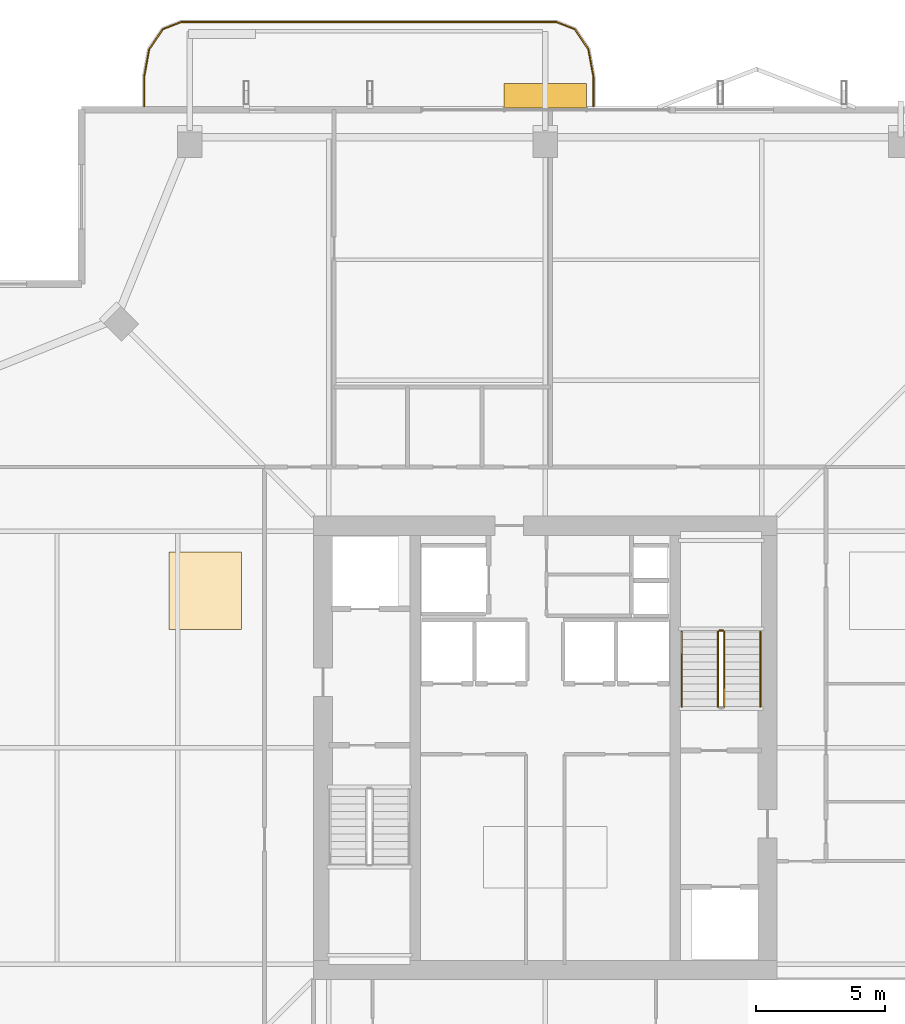
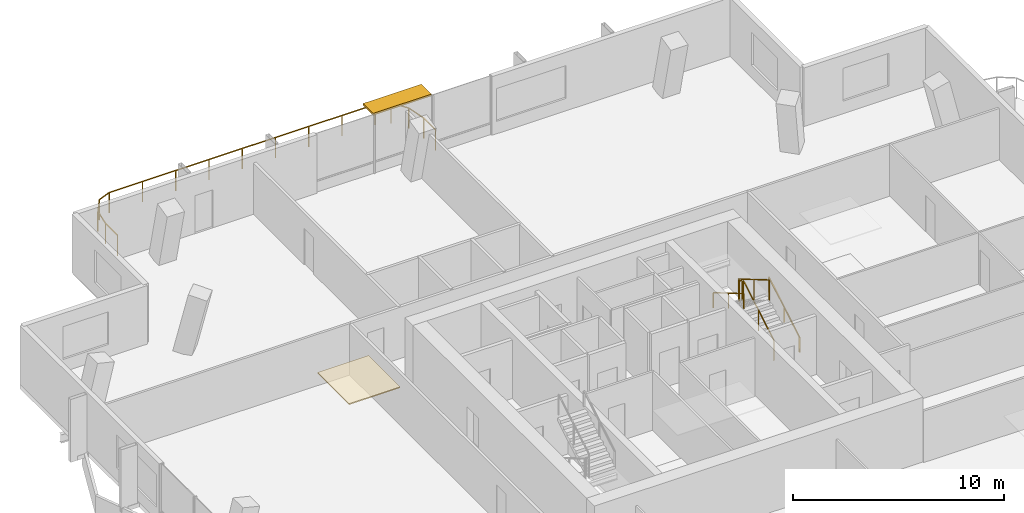
# One storey, part 24 of 25: 6 railings, 1 covering, 1 shading device.
"""IFC4 building model written with IfcOpenShell, lengths in metres."""

from ifc_helpers import new_model, si_unit, direction, frame, origin, origin_2d, place, context, subcontext, project, spatial, polyline, rectangle, outline, extrude, material, layer, layer_set, type_object, element, save


model = new_model("IFC4")

# Units and contexts
model_context = context("Model", 3, precision=1e-05, world=origin(), true_north=direction((0.0, 1.0)))
body_context = subcontext(model_context, "Body", "Model", "MODEL_VIEW")
ifc_project = project(units=[si_unit("LENGTHUNIT", "METRE"), si_unit("AREAUNIT", "SQUARE_METRE"), si_unit("VOLUMEUNIT", "CUBIC_METRE"), si_unit("PLANEANGLEUNIT", "RADIAN"), si_unit("MASSUNIT", "GRAM", prefix="KILO")], contexts=[model_context])

# Site, building, storey
site_placement = place(None, origin())
site = spatial("IfcSite", under=ifc_project, at=site_placement, CompositionType="ELEMENT")
building_placement = place(site_placement, origin())
building = spatial("IfcBuilding", under=site, at=building_placement, Name="Belovzor Exchange Tower", CompositionType="ELEMENT")
storey_placement = place(building_placement, frame((0.0, 0.0, 280.35009765625)))
storey = spatial("IfcBuildingStorey", under=building, at=storey_placement, Name="L70", CompositionType="ELEMENT", Elevation=280.35009765625)

# Railings
ifc_material_1 = material(Name="Stainless Steel Grade 304", Category="steel")
railing_type_1 = type_object("IfcRailingType", Name="Brushed Stainless Steel Stair Handrail 900", PredefinedType="HANDRAIL", material=ifc_material_1)
railing_1_placement = place(storey_placement, frame((37.14990234375, 30.39990234375, 0.17041015625)))
element("IfcRailing", 1, at=railing_1_placement, inside=storey, type_object=railing_type_1, Name="L70 ST-2 stair handrail 1", PredefinedType="HANDRAIL", context=body_context, shape_type="SweptSolid", body=[
    extrude(rectangle(XDim=0.048095703125, YDim=0.048095703125, at=origin_2d()), frame((0.0, 0.0, 0.8759765625), z_axis=(0.0, 0.862113265706, 0.506715617574), x_axis=(-1.0, 0.0, 0.0)), (0.0, 0.0, 1.0), 3.364013671875),
    extrude(rectangle(XDim=0.0419921875, YDim=0.0419921875, at=origin_2d()), origin(), (0.0, 0.0, 1.0), 0.851806640625),
    extrude(rectangle(XDim=0.0419921875, YDim=0.0419921875, at=origin_2d()), frame((0.0, 1.4501953125, 0.852294921875)), (0.0, 0.0, 1.0), 0.851806640625),
    extrude(rectangle(XDim=0.0419921875, YDim=0.0419921875, at=origin_2d()), frame((0.0, 2.900146484375, 1.70458984375)), (0.0, 0.0, 1.0), 0.851806640625),
])
railing_2_placement = place(storey_placement, frame((34.10009765625, 33.300048828125, 2.04541015625)))
element("IfcRailing", 2, at=railing_2_placement, inside=storey, type_object=railing_type_1, Name="L70 ST-2 stair handrail 2", PredefinedType="HANDRAIL", context=body_context, shape_type="SweptSolid", body=[
    extrude(rectangle(XDim=0.048095703125, YDim=0.048095703125, at=origin_2d()), frame((0.0, 0.0, 0.8759765625), z_axis=(0.0, -0.862113265706, 0.506715617574), x_axis=(1.0, 0.0, 0.0)), (0.0, 0.0, 1.0), 3.364013671875),
    extrude(rectangle(XDim=0.0419921875, YDim=0.0419921875, at=origin_2d()), origin(), (0.0, 0.0, 1.0), 0.851806640625),
    extrude(rectangle(XDim=0.0419921875, YDim=0.0419921875, at=origin_2d()), frame((0.0, -1.4501953125, 0.852294921875)), (0.0, 0.0, 1.0), 0.851806640625),
    extrude(rectangle(XDim=0.0419921875, YDim=0.0419921875, at=origin_2d()), frame((0.0, -2.900146484375, 1.70458984375)), (0.0, 0.0, 1.0), 0.851806640625),
])
ifc_material_2 = material(Name="Stainless Steel and Laminated Safety Glass", Category="steel")
railing_type_2 = type_object("IfcRailingType", Name="Laminated Glass & Stainless Steel Balcony Balustrade 1200", PredefinedType="BALUSTRADE", material=ifc_material_2)
railing_3_placement = place(storey_placement, frame((30.669921875, 53.7099609375, 0.0)))
element("IfcRailing", 3, at=railing_3_placement, inside=storey, type_object=railing_type_2, Name="GR-1 Balcony Balustrade L70 North", PredefinedType="BALUSTRADE", context=body_context, shape_type="SweptSolid", body=[
    extrude(rectangle(XDim=0.048095703125, YDim=0.048095703125, at=origin_2d()), frame((0.0, 0.0, 1.17578125), z_axis=(0.0, 1.0, 0.0), x_axis=(-1.0, 0.0, 0.0)), (0.0, 0.0, 1.0), 1.133056640625),
    extrude(rectangle(XDim=0.048095703125, YDim=0.048095703125, at=origin_2d()), frame((0.0, 1.133056640625, 1.17578125), z_axis=(-0.180122719713, 0.983644145941, 0.0), x_axis=(-0.983644145941, -0.180122719713, 0.0)), (0.0, 0.0, 1.0), 1.09375),
    extrude(rectangle(XDim=0.048095703125, YDim=0.048095703125, at=origin_2d()), frame((-0.197021484375, 2.208984375, 1.17578125), z_axis=(-0.562768145367, 0.826614792125, 0.0), x_axis=(-0.826614792125, -0.562768145367, 0.0)), (0.0, 0.0, 1.0), 0.9326171875),
    extrude(rectangle(XDim=0.048095703125, YDim=0.048095703125, at=origin_2d()), frame((-0.721923828125, 2.97998046875, 1.17578125), z_axis=(-0.930766990125, 0.365612923861, 0.0), x_axis=(-0.365612923861, -0.930766990125, 0.0)), (0.0, 0.0, 1.0), 0.765869140625),
    extrude(rectangle(XDim=0.048095703125, YDim=0.048095703125, at=origin_2d()), frame((-1.434814453125, 3.260009765625, 1.17578125), z_axis=(-1.0, 0.0, 0.0), x_axis=(0.0, -1.0, 0.0)), (0.0, 0.0, 1.0), 14.570068359375),
    extrude(rectangle(XDim=0.048095703125, YDim=0.048095703125, at=origin_2d()), frame((-16.0048828125, 3.260009765625, 1.17578125), z_axis=(-0.930809580156, -0.365504480807, 0.0), x_axis=(0.365504480807, -0.930809580156, 0.0)), (0.0, 0.0, 1.0), 0.76611328125),
    extrude(rectangle(XDim=0.048095703125, YDim=0.048095703125, at=origin_2d()), frame((-16.718017578125, 2.97998046875, 1.17578125), z_axis=(-0.562768145367, -0.826614792125, 0.0), x_axis=(0.826614792125, -0.562768145367, 0.0)), (0.0, 0.0, 1.0), 0.9326171875),
    extrude(rectangle(XDim=0.048095703125, YDim=0.048095703125, at=origin_2d()), frame((-17.242919921875, 2.208984375, 1.17578125), z_axis=(-0.180122719713, -0.983644145941, 0.0), x_axis=(0.983644145941, -0.180122719713, 0.0)), (0.0, 0.0, 1.0), 1.09375),
    extrude(rectangle(XDim=0.048095703125, YDim=0.048095703125, at=origin_2d()), frame((-17.43994140625, 1.133056640625, 1.17578125), z_axis=(0.0, -1.0, 0.0), x_axis=(1.0, 0.0, 0.0)), (0.0, 0.0, 1.0), 1.133056640625),
    extrude(rectangle(XDim=0.0419921875, YDim=0.0419921875, at=origin_2d()), origin(), (0.0, 0.0, 1.0), 1.15185546875),
    extrude(rectangle(XDim=0.0419921875, YDim=0.0419921875, at=origin_2d()), frame((0.0, 1.133056640625, 0.0)), (0.0, 0.0, 1.0), 1.15185546875),
    extrude(rectangle(XDim=0.0419921875, YDim=0.0419921875, at=origin_2d()), frame((-0.197021484375, 2.208984375, 0.0)), (0.0, 0.0, 1.0), 1.15185546875),
    extrude(rectangle(XDim=0.0419921875, YDim=0.0419921875, at=origin_2d()), frame((-0.721923828125, 2.97998046875, 0.0)), (0.0, 0.0, 1.0), 1.15185546875),
    extrude(rectangle(XDim=0.0419921875, YDim=0.0419921875, at=origin_2d()), frame((-1.434814453125, 3.260009765625, 0.0)), (0.0, 0.0, 1.0), 1.15185546875),
    extrude(rectangle(XDim=0.0419921875, YDim=0.0419921875, at=origin_2d()), frame((-3.256103515625, 3.260009765625, 0.0)), (0.0, 0.0, 1.0), 1.15185546875),
    extrude(rectangle(XDim=0.0419921875, YDim=0.0419921875, at=origin_2d()), frame((-5.077392578125, 3.260009765625, 0.0)), (0.0, 0.0, 1.0), 1.15185546875),
    extrude(rectangle(XDim=0.0419921875, YDim=0.0419921875, at=origin_2d()), frame((-6.898681640625, 3.260009765625, 0.0)), (0.0, 0.0, 1.0), 1.15185546875),
    extrude(rectangle(XDim=0.0419921875, YDim=0.0419921875, at=origin_2d()), frame((-8.7197265625, 3.260009765625, 0.0)), (0.0, 0.0, 1.0), 1.15185546875),
    extrude(rectangle(XDim=0.0419921875, YDim=0.0419921875, at=origin_2d()), frame((-10.541015625, 3.260009765625, 0.0)), (0.0, 0.0, 1.0), 1.15185546875),
    extrude(rectangle(XDim=0.0419921875, YDim=0.0419921875, at=origin_2d()), frame((-12.3623046875, 3.260009765625, 0.0)), (0.0, 0.0, 1.0), 1.15185546875),
    extrude(rectangle(XDim=0.0419921875, YDim=0.0419921875, at=origin_2d()), frame((-14.18359375, 3.260009765625, 0.0)), (0.0, 0.0, 1.0), 1.15185546875),
    extrude(rectangle(XDim=0.0419921875, YDim=0.0419921875, at=origin_2d()), frame((-16.0048828125, 3.260009765625, 0.0)), (0.0, 0.0, 1.0), 1.15185546875),
    extrude(rectangle(XDim=0.0419921875, YDim=0.0419921875, at=origin_2d()), frame((-16.718017578125, 2.97998046875, 0.0)), (0.0, 0.0, 1.0), 1.15185546875),
    extrude(rectangle(XDim=0.0419921875, YDim=0.0419921875, at=origin_2d()), frame((-17.242919921875, 2.208984375, 0.0)), (0.0, 0.0, 1.0), 1.15185546875),
    extrude(rectangle(XDim=0.0419921875, YDim=0.0419921875, at=origin_2d()), frame((-17.43994140625, 1.133056640625, 0.0)), (0.0, 0.0, 1.0), 1.15185546875),
    extrude(rectangle(XDim=0.0419921875, YDim=0.0419921875, at=origin_2d()), frame((-17.43994140625, 0.0, 0.0)), (0.0, 0.0, 1.0), 1.15185546875),
])
ifc_material_3 = material(Name="Steel S355", Category="steel")
railing_type_3 = type_object("IfcRailingType", Name="Painted Steel Stairwell Guardrail 1200", PredefinedType="GUARDRAIL", material=ifc_material_3)
railing_4_placement = place(storey_placement, frame((35.75, 30.39990234375, 0.17041015625)))
element("IfcRailing", 4, at=railing_4_placement, inside=storey, type_object=railing_type_3, Name="L70 ST-2 stair guard 1", PredefinedType="GUARDRAIL", context=body_context, shape_type="SweptSolid", body=[
    extrude(rectangle(XDim=0.048095703125, YDim=0.048095703125, at=origin_2d()), frame((0.0, 0.0, 1.17578125), z_axis=(0.0, 0.862113265706, 0.506715617574), x_axis=(-1.0, 0.0, 0.0)), (0.0, 0.0, 1.0), 3.364013671875),
    extrude(rectangle(XDim=0.0419921875, YDim=0.0419921875, at=origin_2d()), origin(), (0.0, 0.0, 1.0), 1.15185546875),
    extrude(rectangle(XDim=0.0419921875, YDim=0.0419921875, at=origin_2d()), frame((0.0, 1.4501953125, 0.852294921875)), (0.0, 0.0, 1.0), 1.15185546875),
    extrude(rectangle(XDim=0.0419921875, YDim=0.0419921875, at=origin_2d()), frame((0.0, 2.900146484375, 1.70458984375)), (0.0, 0.0, 1.0), 1.15185546875),
])
railing_5_placement = place(storey_placement, frame((35.699951171875, 33.35009765625, 1.875)))
element("IfcRailing", 5, at=railing_5_placement, inside=storey, type_object=railing_type_3, Name="L70 ST-2 stair guard 2", PredefinedType="GUARDRAIL", context=body_context, shape_type="SweptSolid", body=[
    extrude(rectangle(XDim=0.048095703125, YDim=0.048095703125, at=origin_2d()), frame((0.0, 0.0, 1.17578125), z_axis=(-1.0, 0.0, 0.0), x_axis=(0.0, -1.0, 0.0)), (0.0, 0.0, 1.0), 0.14990234375),
    extrude(rectangle(XDim=0.0419921875, YDim=0.0419921875, at=origin_2d()), origin(), (0.0, 0.0, 1.0), 1.15185546875),
    extrude(rectangle(XDim=0.0419921875, YDim=0.0419921875, at=origin_2d()), frame((-0.14990234375, 0.0, 0.0)), (0.0, 0.0, 1.0), 1.15185546875),
])
railing_6_placement = place(storey_placement, frame((35.5, 33.300048828125, 2.04541015625)))
element("IfcRailing", 6, at=railing_6_placement, inside=storey, type_object=railing_type_3, Name="L70 ST-2 stair guard 3", PredefinedType="GUARDRAIL", context=body_context, shape_type="SweptSolid", body=[
    extrude(rectangle(XDim=0.048095703125, YDim=0.048095703125, at=origin_2d()), frame((0.0, 0.0, 1.17578125), z_axis=(0.0, -0.862113265706, 0.506715617574), x_axis=(1.0, 0.0, 0.0)), (0.0, 0.0, 1.0), 3.364013671875),
    extrude(rectangle(XDim=0.0419921875, YDim=0.0419921875, at=origin_2d()), origin(), (0.0, 0.0, 1.0), 1.15185546875),
    extrude(rectangle(XDim=0.0419921875, YDim=0.0419921875, at=origin_2d()), frame((0.0, -1.4501953125, 0.852294921875)), (0.0, 0.0, 1.0), 1.15185546875),
    extrude(rectangle(XDim=0.0419921875, YDim=0.0419921875, at=origin_2d()), frame((0.0, -2.900146484375, 1.70458984375)), (0.0, 0.0, 1.0), 1.15185546875),
])

# Covering
ifc_material_4 = material(Name="Perforated Powder-Coated Aluminium", Category="aluminium")
ifc_layer_1 = layer(ifc_material_4, 0.06005859375)
ifc_layer_set_1 = layer_set([ifc_layer_1], Name="Perforated Powder-Coated Aluminium")
covering_type = type_object("IfcCoveringType", Name="Perforated Acoustic Metal Tile Suspended Ceiling 60", PredefinedType="CEILING", material=ifc_layer_set_1)
covering_placement = place(storey_placement, frame((0.0, 0.0, 3.329833984375)))
element("IfcCovering", 7, at=covering_placement, inside=storey, type_object=covering_type, Name="CLG-AC60 Suspended Ceiling CLG-L70-Z3", PredefinedType="CEILING", context=body_context, shape_type="SweptSolid", body=[
    extrude(outline(polyline([(14.199951171875, 33.39990234375), (17.0, 33.39990234375), (17.0, 36.39990234375), (14.199951171875, 36.39990234375), (14.199951171875, 33.39990234375)])), origin(), (0.0, 0.0, 1.0), 0.06005859375),
])

# Shading device
ifc_material_5 = material(Name="Extruded Architectural Terracotta", Category="masonry")
ifc_layer_2 = layer(ifc_material_5, 0.1201171875)
ifc_layer_set_2 = layer_set([ifc_layer_2], Name="Extruded Architectural Terracotta")
shading_device_type = type_object("IfcShadingDeviceType", Name="Streamline Terracotta Horizontal Sunshade Hood 950", PredefinedType="AWNING", material=ifc_layer_set_2)
shading_device_placement = place(storey_placement, frame((28.800048828125, 54.114990234375, 3.269775390625), z_axis=(0.0, 0.0, 1.0), x_axis=(1.0, 0.0, 0.0)))
element("IfcShadingDevice", 8, at=shading_device_placement, inside=storey, type_object=shading_device_type, Name="SHD-TC095 Terracotta Sunshade L70 N", PredefinedType="AWNING", context=body_context, shape_type="SweptSolid", body=[
    extrude(rectangle(XDim=3.199951171875, YDim=0.949951171875, at=origin_2d()), origin(), (0.0, 0.0, 1.0), 0.1201171875),
])

save(model, "model.ifc")
